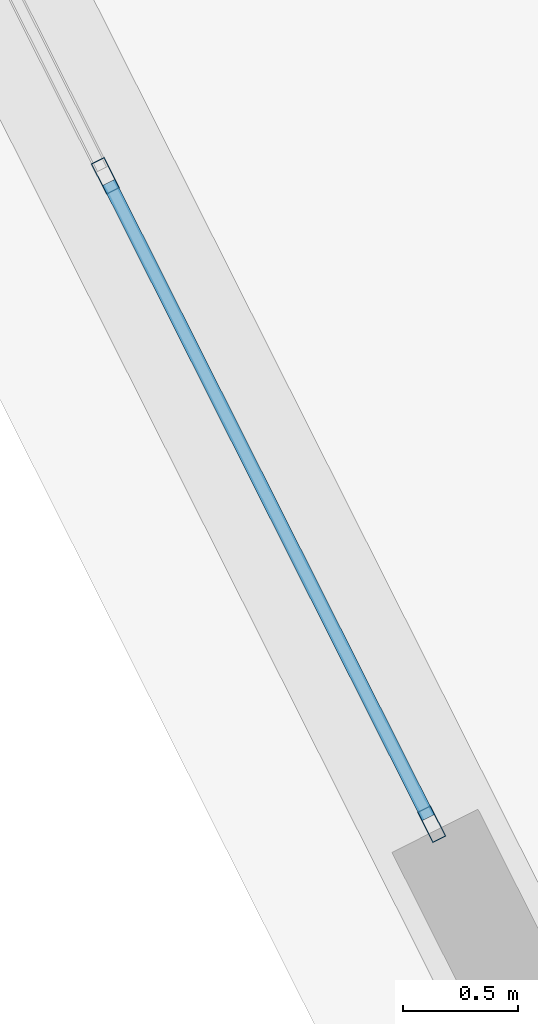
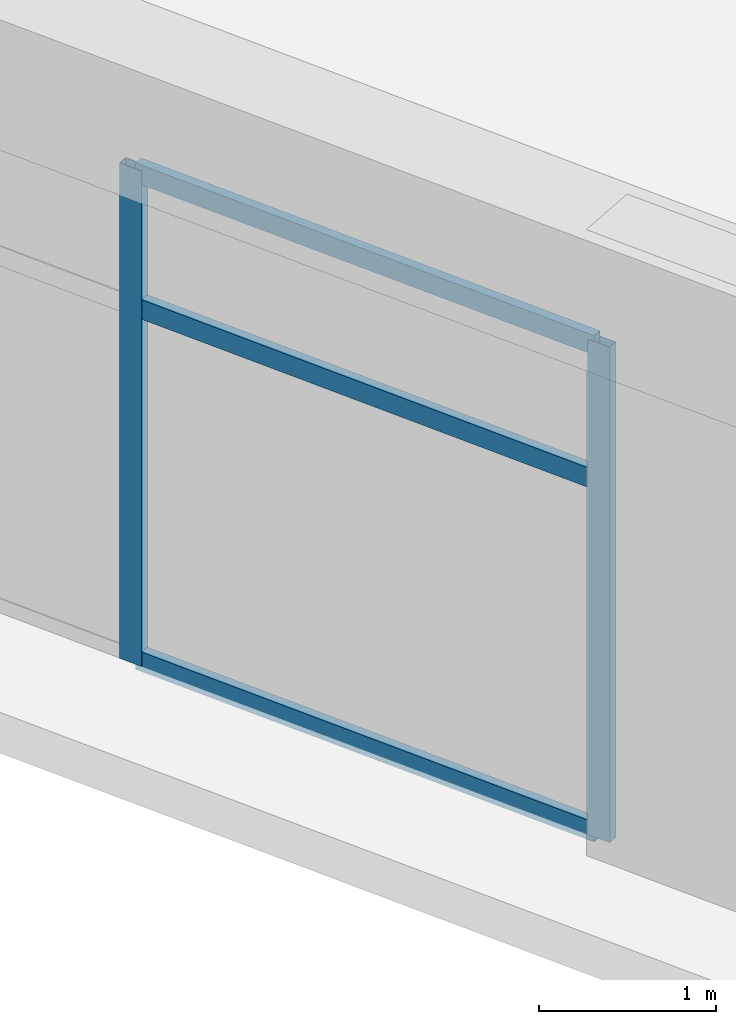
# One storey, part 10 of 30: 5 members, 1 element without a shape of its own.
"""IFC4 building model written with IfcOpenShell, lengths in metres."""

from ifc_helpers import new_model, si_unit, direction, frame, origin, origin_2d, place, context, subcontext, project, spatial, hollow_rectangle, extrude, source, transform, mapped, material, layer, layer_set, material_profile, profile_set, type_object, element, aggregate, save


model = new_model("IFC4")

# Units and contexts
model_context = context("Model", 3, precision=1e-05, world=origin(), true_north=direction((0.0, 1.0)))
body_context = subcontext(model_context, "Body", "Model", "MODEL_VIEW")
ifc_project = project(units=[si_unit("LENGTHUNIT", "METRE"), si_unit("AREAUNIT", "SQUARE_METRE"), si_unit("VOLUMEUNIT", "CUBIC_METRE"), si_unit("PLANEANGLEUNIT", "RADIAN"), si_unit("MASSUNIT", "GRAM", prefix="KILO")], contexts=[model_context])

# Site, building, storey
site_placement = place(None, origin())
site = spatial("IfcSite", under=ifc_project, at=site_placement, CompositionType="ELEMENT")
building_placement = place(site_placement, origin())
building = spatial("IfcBuilding", under=site, at=building_placement, Name="Liaohun Quay Tower", CompositionType="ELEMENT")
storey_placement = place(building_placement, frame((0.0, 0.0, 97.5)))
storey = spatial("IfcBuildingStorey", under=building, at=storey_placement, Name="L25", CompositionType="ELEMENT", Elevation=97.5)

# Curtain wall, members
ifc_material_1 = material(Name="Low-rise sky-lobby belvedere curtain wall")
ifc_layer = layer(ifc_material_1, 0.199951171875, Name="Low-rise sky-lobby belvedere curtain wall")
ifc_layer_set = layer_set([ifc_layer], Name="Low-rise sky-lobby belvedere curtain wall")
curtain_wall_type = type_object("IfcCurtainWallType", Name="CW-SKY-L25", PredefinedType="NOTDEFINED", material=ifc_layer_set)
curtain_wall_placement = place(storey_placement, origin())
curtain_wall = element("IfcCurtainWall", 1, at=curtain_wall_placement, inside=storey, type_object=curtain_wall_type, Name="L25 Panoramic Belvedere Curtain Wall 05", PredefinedType="NOTDEFINED")
ifc_material_2 = material(Name="Anodised aluminium 6063-T6", Category="aluminium")
ifc_material_profile_1 = material_profile(ifc_material_2, hollow_rectangle(XDim=0.06494140625, YDim=0.14990234375, WallThickness=0.00390625, at=origin_2d()), Name="RHS150x65x4")
ifc_profile_set_1 = profile_set([ifc_material_profile_1], Name="Anodised aluminium 6063-T6")
member_type_1 = type_object("IfcMemberType", Name="MEM-CWM-SKY", PredefinedType="MULLION", material=ifc_profile_set_1)
shared_shape_1 = source(origin(), body_context, "Body", "SweptSolid", [
    extrude(hollow_rectangle(XDim=0.06494140625, YDim=0.14990234375, WallThickness=0.00390625, at=origin_2d()), origin(), (0.0, 0.0, 1.0), 3.419921875),
])
member_1_placement = place(storey_placement, frame((30.445556640625, 53.244384765625, 0.0), z_axis=(0.0, 0.0, 1.0), x_axis=(0.893267968844, 0.449524566445, 0.0)))
member_1 = element("IfcMember", 2, at=member_1_placement, type_object=member_type_1, Name="CW3 mullion 2", PredefinedType="MULLION", context=body_context, shape_type="MappedRepresentation", body=[
    mapped(shared_shape_1, transform((0.0, 0.0, 0.0), x_axis=(1.0, 0.0, 0.0), y_axis=(0.0, 1.0, 0.0), z_axis=(0.0, 0.0, 1.0), scale=1.0)),
])
member_2_placement = place(storey_placement, frame((31.869384765625, 50.4150390625, 0.0), z_axis=(0.0, 0.0, 1.0), x_axis=(0.893267968844, 0.449524566445, 0.0)))
member_2 = element("IfcMember", 3, at=member_2_placement, type_object=member_type_1, Name="CW3 mullion 3", PredefinedType="MULLION", context=body_context, shape_type="MappedRepresentation", body=[
    mapped(shared_shape_1, transform((0.0, 0.0, 0.0), x_axis=(1.0, 0.0, 0.0), y_axis=(0.0, 1.0, 0.0), z_axis=(0.0, 0.0, 1.0), scale=1.0)),
])
ifc_material_profile_2 = material_profile(ifc_material_2, hollow_rectangle(XDim=0.06005859375, YDim=0.135009765625, WallThickness=0.00390625, at=origin_2d()), Name="RHS135x60x4")
ifc_profile_set_2 = profile_set([ifc_material_profile_2], Name="Anodised aluminium 6063-T6")
member_type_2 = type_object("IfcMemberType", Name="MEM-CWT-SKY", PredefinedType="USERDEFINED", material=ifc_profile_set_2)
shared_shape_2 = source(origin(), body_context, "Body", "SweptSolid", [
    extrude(hollow_rectangle(XDim=0.06005859375, YDim=0.135009765625, WallThickness=0.00390625, at=origin_2d()), origin(), (0.0, 0.0, 1.0), 3.1025390625),
])
member_3_placement = place(storey_placement, frame((30.460205078125, 53.215576171875, 0.030029296875), z_axis=(0.449478437775, -0.893291180957, 0.0), x_axis=(0.893291180957, 0.449478437775, 0.0)))
member_3 = element("IfcMember", 4, at=member_3_placement, type_object=member_type_2, Name="CW3 transom 2.1", ObjectType="TRANSOM", PredefinedType="USERDEFINED", context=body_context, shape_type="MappedRepresentation", body=[
    mapped(shared_shape_2, transform((0.0, 0.0, 0.0), x_axis=(1.0, 0.0, 0.0), y_axis=(0.0, 1.0, 0.0), z_axis=(0.0, 0.0, 1.0), scale=1.0)),
])
member_4_placement = place(storey_placement, frame((30.460205078125, 53.215576171875, 2.4619140625), z_axis=(0.449478437775, -0.893291180957, 0.0), x_axis=(0.893291180957, 0.449478437775, 0.0)))
member_4 = element("IfcMember", 5, at=member_4_placement, type_object=member_type_2, Name="CW3 transom 2.2", ObjectType="TRANSOM", PredefinedType="USERDEFINED", context=body_context, shape_type="MappedRepresentation", body=[
    mapped(shared_shape_2, transform((0.0, 0.0, 0.0), x_axis=(1.0, 0.0, 0.0), y_axis=(0.0, 1.0, 0.0), z_axis=(0.0, 0.0, 1.0), scale=1.0)),
])
member_5_placement = place(storey_placement, frame((30.460205078125, 53.215576171875, 3.389892578125), z_axis=(0.449478437775, -0.893291180957, 0.0), x_axis=(0.893291180957, 0.449478437775, 0.0)))
member_5 = element("IfcMember", 6, at=member_5_placement, type_object=member_type_2, Name="CW3 transom 2.3", ObjectType="TRANSOM", PredefinedType="USERDEFINED", context=body_context, shape_type="MappedRepresentation", body=[
    mapped(shared_shape_2, transform((0.0, 0.0, 0.0), x_axis=(1.0, 0.0, 0.0), y_axis=(0.0, 1.0, 0.0), z_axis=(0.0, 0.0, 1.0), scale=1.0)),
])
aggregate(curtain_wall, [member_1, member_2, member_3, member_4, member_5])

save(model, "model.ifc")
